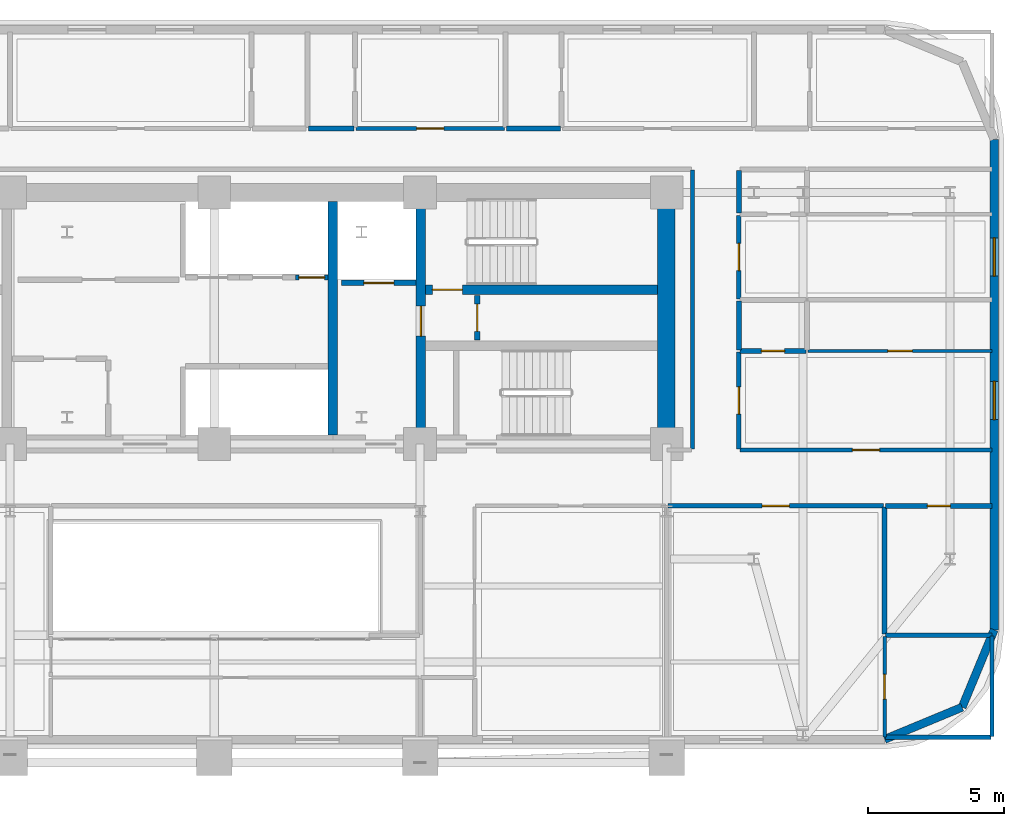
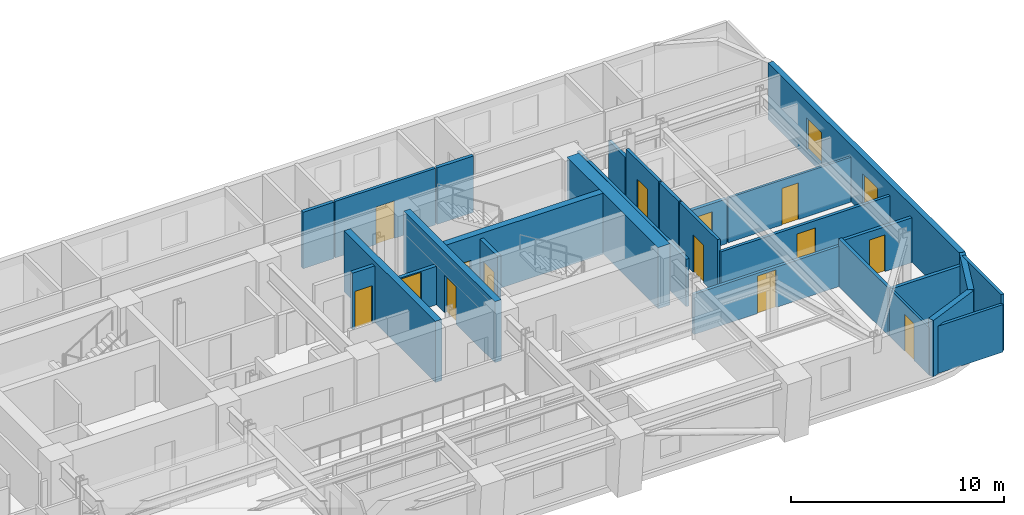
# One storey, part 10 of 14: 28 walls, 14 doors, 2 windows, 16 openings.
"""IFC4 building model written with IfcOpenShell, lengths in metres."""

from ifc_helpers import new_model, si_unit, direction, frame, frame_2d, origin, place, context, subcontext, project, spatial, rectangle, extrude, material, layer, layer_set, type_object, element, fill, save


model = new_model("IFC4")

# Units and contexts
model_context = context("Model", 3, precision=1e-05, world=origin(), true_north=direction((0.0, 1.0)))
body_context = subcontext(model_context, "Body", "Model", "MODEL_VIEW")
ifc_project = project(units=[si_unit("LENGTHUNIT", "METRE"), si_unit("AREAUNIT", "SQUARE_METRE"), si_unit("VOLUMEUNIT", "CUBIC_METRE"), si_unit("PLANEANGLEUNIT", "RADIAN"), si_unit("MASSUNIT", "GRAM", prefix="KILO")], contexts=[model_context])

# Site, building, storey
site_placement = place(None, origin())
site = spatial("IfcSite", under=ifc_project, at=site_placement, CompositionType="ELEMENT")
building_placement = place(site_placement, origin())
building = spatial("IfcBuilding", under=site, at=building_placement, Name="Zarnavel Station Tower", CompositionType="ELEMENT")
storey_placement = place(building_placement, frame((0.0, 0.0, 108.300048828125)))
storey = spatial("IfcBuildingStorey", under=building, at=storey_placement, Name="L29", CompositionType="ELEMENT", Elevation=108.300048828125)

# Wall
ifc_material_1 = material(Name="Concrete C50/60", Category="concrete")
ifc_layer_1 = layer(ifc_material_1, 0.35009765625)
ifc_layer_set_1 = layer_set([ifc_layer_1], Name="CW_350")
wall_type_1 = type_object("IfcWallType", Name="CW_350", PredefinedType="SHEAR", material=ifc_layer_set_1)
wall_1_placement = place(storey_placement, frame((33.14990234375, 28.14501953125, 0.0), z_axis=(0.0, 0.0, 1.0), x_axis=(0.0, 1.0, 0.0)))
element("IfcWall", 1, at=wall_1_placement, inside=storey, type_object=wall_type_1, Name="L29 Rear Core Shear Wall DIV-E", PredefinedType="SHEAR", context=body_context, shape_type="SweptSolid", body=[
    extrude(rectangle(XDim=8.580078125, YDim=0.35009765625, at=frame_2d((4.2900390625, 0.0))), origin(), (0.0, 0.0, 1.0), 3.5),
])

# Wall, opening, door
wall_2_placement = place(storey_placement, frame((36.3798828125, 28.14501953125, 0.0), z_axis=(0.0, 0.0, 1.0), x_axis=(0.0, 1.0, 0.0)))
wall_2 = element("IfcWall", 2, at=wall_2_placement, inside=storey, type_object=wall_type_1, Name="L29 Rear Core Shear Wall DIV-S2", PredefinedType="SHEAR", context=body_context, shape_type="SweptSolid", body=[
    extrude(rectangle(XDim=8.580078125, YDim=0.35009765625, at=frame_2d((4.2900390625, 0.0))), origin(), (0.0, 0.0, 1.0), 3.5),
])
opening_1_placement = place(wall_2_placement, frame((3.635009765625, 0.0, 0.0)))
opening_1 = element("IfcOpeningElement", 3, at=opening_1_placement, cuts=wall_2, Name="Opening FD01", PredefinedType="OPENING", context=body_context, shape_type="SweptSolid", body=[
    extrude(rectangle(XDim=1.10009765625, YDim=2.14990234375, at=frame_2d((0.550048828125, 1.074951171875))), frame((0.0, 0.18505859375, 0.0), z_axis=(0.0, -1.0, 0.0), x_axis=(1.0, 0.0, 0.0)), (0.0, 0.0, 1.0), 0.3701171875),
])
ifc_material_2 = material(Name="Painted Galvanised Steel and Hardwood Leaf", Category="steel")
door_type_1 = type_object("IfcDoorType", Name="ID_STAIR_1100", OperationType="NOTDEFINED", PredefinedType="DOOR", material=ifc_material_2)
door_1_placement = place(opening_1_placement, origin())
door_1 = element("IfcDoor", 4, at=door_1_placement, inside=storey, type_object=door_type_1, Name="L29 East Stair Vestibule Fire Door", OperationType="SINGLE_SWING_LEFT", OverallHeight=2.14990234375, OverallWidth=1.10009765625, PredefinedType="DOOR", context=body_context, shape_type="SweptSolid", body=[
    extrude(rectangle(XDim=1.10009765625, YDim=2.14990234375, at=frame_2d((0.550048828125, 1.074951171875))), frame((0.0, 0.02490234375, 0.0), z_axis=(0.0, -1.0, 0.0), x_axis=(1.0, 0.0, 0.0)), (0.0, 0.0, 1.0), 0.050048828125),
])
fill(opening_1, door_1)

wall_3_placement = place(storey_placement, frame((45.054931640625, 33.47998046875, 0.0), z_axis=(0.0, 0.0, 1.0), x_axis=(-1.0, 0.0, 0.0)))
wall_3 = element("IfcWall", 5, at=wall_3_placement, inside=storey, type_object=wall_type_1, Name="L29 Rear Core Shear Wall DIV-H2", PredefinedType="SHEAR", context=body_context, shape_type="SweptSolid", body=[
    extrude(rectangle(XDim=8.5, YDim=0.35009765625, at=frame_2d((4.25, 0.0))), origin(), (0.0, 0.0, 1.0), 3.5),
])
opening_2_placement = place(wall_3_placement, frame((7.155029296875, 0.0, 0.0)))
opening_2 = element("IfcOpeningElement", 6, at=opening_2_placement, cuts=wall_3, Name="Opening FD01", PredefinedType="OPENING", context=body_context, shape_type="SweptSolid", body=[
    extrude(rectangle(XDim=1.10009765625, YDim=2.14990234375, at=frame_2d((0.550048828125, 1.074951171875))), frame((0.0, 0.18505859375, 0.0), z_axis=(0.0, -1.0, 0.0), x_axis=(1.0, 0.0, 0.0)), (0.0, 0.0, 1.0), 0.3701171875),
])
door_2_placement = place(opening_2_placement, origin())
door_2 = element("IfcDoor", 7, at=door_2_placement, inside=storey, type_object=door_type_1, Name="L29 Stair ST2 Lobby Fire Door", OperationType="SINGLE_SWING_RIGHT", OverallHeight=2.14990234375, OverallWidth=1.10009765625, PredefinedType="DOOR", context=body_context, shape_type="SweptSolid", body=[
    extrude(rectangle(XDim=1.10009765625, YDim=2.14990234375, at=frame_2d((0.550048828125, 1.074951171875))), frame((0.0, 0.02490234375, 0.0), z_axis=(0.0, -1.0, 0.0), x_axis=(1.0, 0.0, 0.0)), (0.0, 0.0, 1.0), 0.050048828125),
])
fill(opening_2, door_2)

# Walls
ifc_material_3 = material(Name="Concrete C60/75", Category="concrete")
ifc_layer_2 = layer(ifc_material_3, 0.64990234375)
ifc_layer_set_2 = layer_set([ifc_layer_2], Name="CW_650")
wall_type_2 = type_object("IfcWallType", Name="CW_650", PredefinedType="SHEAR", material=ifc_layer_set_2)
wall_4_placement = place(storey_placement, frame((45.3798828125, 28.14501953125, 0.0), z_axis=(0.0, 0.0, 1.0), x_axis=(0.0, 1.0, 0.0)))
element("IfcWall", 8, at=wall_4_placement, inside=storey, type_object=wall_type_2, Name="L29 Rear Core Shear Wall E", PredefinedType="SHEAR", context=body_context, shape_type="SweptSolid", body=[
    extrude(rectangle(XDim=8.580078125, YDim=0.64990234375, at=frame_2d((4.2900390625, 0.0))), origin(), (0.0, 0.0, 1.0), 3.5),
])
ifc_material_4 = material(Name="Precast concrete C45/55 (Dark Basalt Finish)", Category="masonry")
ifc_layer_3 = layer(ifc_material_4, 0.300048828125)
ifc_layer_set_3 = layer_set([ifc_layer_3], Name="EW_BASALT_300")
wall_type_3 = type_object("IfcWallType", Name="EW_BASALT_300", PredefinedType="SOLIDWALL", material=ifc_layer_set_3)
wall_5_placement = place(storey_placement, frame((56.24267578125, 18.157470703125, 0.0), z_axis=(0.0, 0.0, 1.0), x_axis=(-0.923882414032, -0.382676475685, 0.0)))
element("IfcWall", 9, at=wall_5_placement, inside=storey, type_object=wall_type_3, Name="L29 Exterior Basalt Masonry Frame Wall 01", PredefinedType="SOLIDWALL", context=body_context, shape_type="SweptSolid", body=[
    extrude(rectangle(XDim=3.076904296875, YDim=0.300048828125, at=frame_2d((1.53857421875, 0.0))), origin(), (0.0, 0.0, 1.0), 3.239990234375),
])
wall_6_placement = place(storey_placement, frame((57.419921875, 21.0, 0.0), z_axis=(0.0, 0.0, 1.0), x_axis=(-0.382636798336, -0.92389884758, 0.0)))
element("IfcWall", 10, at=wall_6_placement, inside=storey, type_object=wall_type_3, Name="L29 Exterior Basalt Masonry Frame Wall 02", PredefinedType="SOLIDWALL", context=body_context, shape_type="SweptSolid", body=[
    extrude(rectangle(XDim=3.07666015625, YDim=0.300048828125, at=frame_2d((1.538330078125, 0.0))), origin(), (0.0, 0.0, 1.0), 3.239990234375),
])

# Wall, openings, windows
wall_7_placement = place(storey_placement, frame((57.419921875, 39.0, 0.0), z_axis=(0.0, 0.0, 1.0), x_axis=(0.0, -1.0, 0.0)))
wall_7 = element("IfcWall", 11, at=wall_7_placement, inside=storey, type_object=wall_type_3, Name="L29 Exterior Basalt Masonry Frame Wall 03", PredefinedType="SOLIDWALL", context=body_context, shape_type="SweptSolid", body=[
    extrude(rectangle(XDim=18.0, YDim=0.300048828125, at=frame_2d((9.0, 0.0))), origin(), (0.0, 0.0, 1.0), 3.239990234375),
])
opening_3_placement = place(wall_7_placement, frame((8.882080078125, 0.0, 0.47998046875)))
opening_3 = element("IfcOpeningElement", 12, at=opening_3_placement, cuts=wall_7, Name="Opening WN01", PredefinedType="OPENING", context=body_context, shape_type="SweptSolid", body=[
    extrude(rectangle(XDim=1.39990234375, YDim=1.800048828125, at=frame_2d((0.699951171875, 0.89990234375))), frame((0.0, 0.159912109375, 0.0), z_axis=(0.0, -1.0, 0.0), x_axis=(1.0, 0.0, 0.0)), (0.0, 0.0, 1.0), 0.320068359375),
])
opening_4_placement = place(wall_7_placement, frame((3.62060546875, 0.0, 0.47998046875)))
opening_4 = element("IfcOpeningElement", 13, at=opening_4_placement, cuts=wall_7, Name="Opening WN01", PredefinedType="OPENING", context=body_context, shape_type="SweptSolid", body=[
    extrude(rectangle(XDim=1.39990234375, YDim=1.800048828125, at=frame_2d((0.699951171875, 0.89990234375))), frame((0.0, 0.159912109375, 0.0), z_axis=(0.0, -1.0, 0.0), x_axis=(1.0, 0.0, 0.0)), (0.0, 0.0, 1.0), 0.320068359375),
])
ifc_material_5 = material(Name="Thermally Broken Black Aluminium and Low-E Dark Glass", Category="aluminium")
window_type = type_object("IfcWindowType", Name="WN_1400x1800", PartitioningType="DOUBLE_PANEL_VERTICAL", PredefinedType="WINDOW", material=ifc_material_5)
window_1_placement = place(opening_3_placement, origin())
window_1 = element("IfcWindow", 14, at=window_1_placement, inside=storey, type_object=window_type, Name="L29 Recessed Facade Window 01", OverallHeight=1.800048828125, OverallWidth=1.39990234375, PartitioningType="SINGLE_PANEL", PredefinedType="WINDOW", context=body_context, shape_type="SweptSolid", body=[
    extrude(rectangle(XDim=1.39990234375, YDim=1.800048828125, at=frame_2d((0.699951171875, 0.89990234375))), frame((0.0, 0.030029296875, 0.0), z_axis=(0.0, -1.0, 0.0), x_axis=(1.0, 0.0, 0.0)), (0.0, 0.0, 1.0), 0.06005859375),
])
fill(opening_3, window_1)
window_2_placement = place(opening_4_placement, origin())
window_2 = element("IfcWindow", 15, at=window_2_placement, inside=storey, type_object=window_type, Name="L29 Recessed Facade Window 02", OverallHeight=1.800048828125, OverallWidth=1.39990234375, PartitioningType="SINGLE_PANEL", PredefinedType="WINDOW", context=body_context, shape_type="SweptSolid", body=[
    extrude(rectangle(XDim=1.39990234375, YDim=1.800048828125, at=frame_2d((0.699951171875, 0.89990234375))), frame((0.0, 0.030029296875, 0.0), z_axis=(0.0, -1.0, 0.0), x_axis=(1.0, 0.0, 0.0)), (0.0, 0.0, 1.0), 0.06005859375),
])
fill(opening_4, window_2)

# Wall, opening, door
ifc_material_6 = material(Name="Gypsum Twin-Stud Acoustic Fire Partition", Category="concrete")
ifc_layer_4 = layer(ifc_material_6, 0.159912109375)
ifc_layer_set_4 = layer_set([ifc_layer_4], Name="PT_DEMISE_160")
wall_type_4 = type_object("IfcWallType", Name="PT_DEMISE_160", PredefinedType="PARTITIONING", material=ifc_layer_set_4)
wall_8_placement = place(storey_placement, frame((48.090087890625, 27.60009765625, 0.0), z_axis=(0.0, 0.0, 1.0), x_axis=(1.0, 0.0, 0.0)))
wall_8 = element("IfcWall", 16, at=wall_8_placement, inside=storey, type_object=wall_type_4, Name="L29 Partition COR-S-FNE1R", PredefinedType="PARTITIONING", context=body_context, shape_type="SweptSolid", body=[
    extrude(rectangle(XDim=9.25, YDim=0.159912109375, at=frame_2d((4.625, 0.0))), origin(), (0.0, 0.0, 1.0), 2.570068359375),
])
opening_5_placement = place(wall_8_placement, frame((4.125, 0.0, 0.0)))
opening_5 = element("IfcOpeningElement", 17, at=opening_5_placement, cuts=wall_8, Name="Opening FD02", PredefinedType="OPENING", context=body_context, shape_type="SweptSolid", body=[
    extrude(rectangle(XDim=1.0, YDim=2.14990234375, at=frame_2d((0.5, 1.074951171875))), frame((0.0, 0.08984375, 0.0), z_axis=(0.0, -1.0, 0.0), x_axis=(1.0, 0.0, 0.0)), (0.0, 0.0, 1.0), 0.179931640625),
])
ifc_material_7 = material(Name="Painted Galvanised Steel and Hardwood Leaf", Category="steel")
door_type_2 = type_object("IfcDoorType", Name="ID_ENTRY_1000", OperationType="NOTDEFINED", PredefinedType="DOOR", material=ifc_material_7)
door_3_placement = place(opening_5_placement, origin())
door_3 = element("IfcDoor", 18, at=door_3_placement, inside=storey, type_object=door_type_2, Name="L29 Door COR-S-FNE1R", OperationType="SINGLE_SWING_RIGHT", OverallHeight=2.14990234375, OverallWidth=1.0, PredefinedType="DOOR", context=body_context, shape_type="SweptSolid", body=[
    extrude(rectangle(XDim=1.0, YDim=2.14990234375, at=frame_2d((0.5, 1.074951171875))), frame((0.0, 0.02490234375, 0.0), z_axis=(0.0, -1.0, 0.0), x_axis=(1.0, 0.0, 0.0)), (0.0, 0.0, 1.0), 0.050048828125),
])
fill(opening_5, door_3)

wall_9_placement = place(storey_placement, frame((45.43994140625, 25.550048828125, 0.0), z_axis=(0.0, 0.0, 1.0), x_axis=(1.0, 0.0, 0.0)))
wall_9 = element("IfcWall", 19, at=wall_9_placement, inside=storey, type_object=wall_type_4, Name="L29 Partition COR-S-L29FOY", PredefinedType="PARTITIONING", context=body_context, shape_type="SweptSolid", body=[
    extrude(rectangle(XDim=7.920166015625, YDim=0.159912109375, at=frame_2d((3.9599609375, 0.0))), origin(), (0.0, 0.0, 1.0), 2.31005859375),
])
opening_6_placement = place(wall_9_placement, frame((3.4599609375, 0.0, 0.0)))
opening_6 = element("IfcOpeningElement", 20, at=opening_6_placement, cuts=wall_9, Name="Opening FD02", PredefinedType="OPENING", context=body_context, shape_type="SweptSolid", body=[
    extrude(rectangle(XDim=1.0, YDim=2.14990234375, at=frame_2d((0.5, 1.074951171875))), frame((0.0, 0.08984375, 0.0), z_axis=(0.0, -1.0, 0.0), x_axis=(1.0, 0.0, 0.0)), (0.0, 0.0, 1.0), 0.179931640625),
])
door_4_placement = place(opening_6_placement, origin())
door_4 = element("IfcDoor", 21, at=door_4_placement, inside=storey, type_object=door_type_2, Name="L29 Door COR-S-L29FOY", OperationType="SINGLE_SWING_RIGHT", OverallHeight=2.14990234375, OverallWidth=1.0, PredefinedType="DOOR", context=body_context, shape_type="SweptSolid", body=[
    extrude(rectangle(XDim=1.0, YDim=2.14990234375, at=frame_2d((0.5, 1.074951171875))), frame((0.0, 0.02490234375, 0.0), z_axis=(0.0, -1.0, 0.0), x_axis=(1.0, 0.0, 0.0)), (0.0, 0.0, 1.0), 0.050048828125),
])
fill(opening_6, door_4)

wall_10_placement = place(storey_placement, frame((48.050048828125, 27.639892578125, 0.0), z_axis=(0.0, 0.0, 1.0), x_axis=(0.0, 1.0, 0.0)))
wall_10 = element("IfcWall", 22, at=wall_10_placement, inside=storey, type_object=wall_type_4, Name="L29 Partition COR-E-FNE1R", PredefinedType="PARTITIONING", context=body_context, shape_type="SweptSolid", body=[
    extrude(rectangle(XDim=3.55615234375, YDim=0.159912109375, at=frame_2d((1.778076171875, 0.0))), origin(), (0.0, 0.0, 1.0), 3.239990234375),
])
opening_7_placement = place(wall_10_placement, frame((1.278076171875, 0.0, 0.0)))
opening_7 = element("IfcOpeningElement", 23, at=opening_7_placement, cuts=wall_10, Name="Opening FD02", PredefinedType="OPENING", context=body_context, shape_type="SweptSolid", body=[
    extrude(rectangle(XDim=1.0, YDim=2.14990234375, at=frame_2d((0.5, 1.074951171875))), frame((0.0, 0.08984375, 0.0), z_axis=(0.0, -1.0, 0.0), x_axis=(1.0, 0.0, 0.0)), (0.0, 0.0, 1.0), 0.179931640625),
])
door_5_placement = place(opening_7_placement, origin())
door_5 = element("IfcDoor", 24, at=door_5_placement, inside=storey, type_object=door_type_2, Name="L29 Door COR-E-FNE1R", OperationType="SINGLE_SWING_RIGHT", OverallHeight=2.14990234375, OverallWidth=1.0, PredefinedType="DOOR", context=body_context, shape_type="SweptSolid", body=[
    extrude(rectangle(XDim=1.0, YDim=2.14990234375, at=frame_2d((0.5, 1.074951171875))), frame((0.0, 0.02490234375, 0.0), z_axis=(0.0, -1.0, 0.0), x_axis=(1.0, 0.0, 0.0)), (0.0, 0.0, 1.0), 0.050048828125),
])
fill(opening_7, door_5)

wall_11_placement = place(storey_placement, frame((48.050048828125, 33.14892578125, 0.0), z_axis=(0.0, 0.0, 1.0), x_axis=(0.0, 1.0, 0.0)))
wall_11 = element("IfcWall", 25, at=wall_11_placement, inside=storey, type_object=wall_type_4, Name="L29 Partition COR-E-FNE2R", PredefinedType="PARTITIONING", context=body_context, shape_type="SweptSolid", body=[
    extrude(rectangle(XDim=3.06103515625, YDim=0.159912109375, at=frame_2d((1.530517578125, 0.0))), origin(), (0.0, 0.0, 1.0), 3.239990234375),
])
opening_8_placement = place(wall_11_placement, frame((1.030517578125, 0.0, 0.0)))
opening_8 = element("IfcOpeningElement", 26, at=opening_8_placement, cuts=wall_11, Name="Opening FD02", PredefinedType="OPENING", context=body_context, shape_type="SweptSolid", body=[
    extrude(rectangle(XDim=1.0, YDim=2.14990234375, at=frame_2d((0.5, 1.074951171875))), frame((0.0, 0.08984375, 0.0), z_axis=(0.0, -1.0, 0.0), x_axis=(1.0, 0.0, 0.0)), (0.0, 0.0, 1.0), 0.179931640625),
])
door_6_placement = place(opening_8_placement, origin())
door_6 = element("IfcDoor", 27, at=door_6_placement, inside=storey, type_object=door_type_2, Name="L29 Door COR-E-FNE2R", OperationType="SINGLE_SWING_LEFT", OverallHeight=2.14990234375, OverallWidth=1.0, PredefinedType="DOOR", context=body_context, shape_type="SweptSolid", body=[
    extrude(rectangle(XDim=1.0, YDim=2.14990234375, at=frame_2d((0.5, 1.074951171875))), frame((0.0, 0.02490234375, 0.0), z_axis=(0.0, -1.0, 0.0), x_axis=(1.0, 0.0, 0.0)), (0.0, 0.0, 1.0), 0.050048828125),
])
fill(opening_8, door_6)

wall_12_placement = place(storey_placement, frame((33.9970703125, 39.39990234375, 0.0), z_axis=(0.0, 0.0, 1.0), x_axis=(1.0, 0.0, 0.0)))
wall_12 = element("IfcWall", 28, at=wall_12_placement, inside=storey, type_object=wall_type_4, Name="L29 Partition COR-N-HN3R", PredefinedType="PARTITIONING", context=body_context, shape_type="SweptSolid", body=[
    extrude(rectangle(XDim=5.447998046875, YDim=0.159912109375, at=frame_2d((2.72412109375, 0.0))), origin(), (0.0, 0.0, 1.0), 3.239990234375),
])
opening_9_placement = place(wall_12_placement, frame((2.22412109375, 0.0, 0.0)))
opening_9 = element("IfcOpeningElement", 29, at=opening_9_placement, cuts=wall_12, Name="Opening FD02", PredefinedType="OPENING", context=body_context, shape_type="SweptSolid", body=[
    extrude(rectangle(XDim=1.0, YDim=2.14990234375, at=frame_2d((0.5, 1.074951171875))), frame((0.0, 0.08984375, 0.0), z_axis=(0.0, -1.0, 0.0), x_axis=(1.0, 0.0, 0.0)), (0.0, 0.0, 1.0), 0.179931640625),
])
door_7_placement = place(opening_9_placement, origin())
door_7 = element("IfcDoor", 30, at=door_7_placement, inside=storey, type_object=door_type_2, Name="L29 Door COR-N-HN3R", OperationType="SINGLE_SWING_LEFT", OverallHeight=2.14990234375, OverallWidth=1.0, PredefinedType="DOOR", context=body_context, shape_type="SweptSolid", body=[
    extrude(rectangle(XDim=1.0, YDim=2.14990234375, at=frame_2d((0.5, 1.074951171875))), frame((0.0, 0.02490234375, 0.0), z_axis=(0.0, -1.0, 0.0), x_axis=(1.0, 0.0, 0.0)), (0.0, 0.0, 1.0), 0.050048828125),
])
fill(opening_9, door_7)

# Walls
wall_13_placement = place(storey_placement, frame((46.35009765625, 27.6298828125, 0.0), z_axis=(0.0, 0.0, 1.0), x_axis=(0.0, 1.0, 0.0)))
element("IfcWall", 31, at=wall_13_placement, inside=storey, type_object=wall_type_4, Name="L29 Enclosure Wall COR-E", PredefinedType="PARTITIONING", context=body_context, shape_type="SweptSolid", body=[
    extrude(rectangle(XDim=10.240234375, YDim=0.159912109375, at=frame_2d((5.1201171875, 0.0))), origin(), (0.0, 0.0, 1.0), 2.719970703125),
])
wall_14_placement = place(storey_placement, frame((53.429931640625, 17.06005859375, 0.0), z_axis=(0.0, 0.0, 1.0), x_axis=(1.0, 0.0, 0.0)))
element("IfcWall", 32, at=wall_14_placement, inside=storey, type_object=wall_type_4, Name="L29 Enclosure Wall L29STR", PredefinedType="PARTITIONING", context=body_context, shape_type="SweptSolid", body=[
    extrude(rectangle(XDim=3.880126953125, YDim=0.159912109375, at=frame_2d((1.93994140625, 0.0))), origin(), (0.0, 0.0, 1.0), 2.719970703125),
])
wall_15_placement = place(storey_placement, frame((57.340087890625, 17.090087890625, 0.0), z_axis=(0.0, 0.0, 1.0), x_axis=(0.0, 1.0, 0.0)))
element("IfcWall", 33, at=wall_15_placement, inside=storey, type_object=wall_type_4, Name="L29 Enclosure Wall L29STR", PredefinedType="PARTITIONING", context=body_context, shape_type="SweptSolid", body=[
    extrude(rectangle(XDim=3.679931640625, YDim=0.159912109375, at=frame_2d((1.83984375, 0.0))), origin(), (0.0, 0.0, 1.0), 3.239990234375),
])

# Wall, opening, door
ifc_material_8 = material(Name="Gypsum Metal-Stud Interior Partition", Category="concrete")
ifc_layer_5 = layer(ifc_material_8, 0.1201171875)
ifc_layer_set_5 = layer_set([ifc_layer_5], Name="PT_ROOM_120")
wall_type_5 = type_object("IfcWallType", Name="PT_ROOM_120", PredefinedType="PARTITIONING", material=ifc_layer_set_5)
wall_16_placement = place(storey_placement, frame((50.590087890625, 31.236083984375, 0.0), z_axis=(0.0, 0.0, 1.0), x_axis=(1.0, 0.0, 0.0)))
wall_16 = element("IfcWall", 34, at=wall_16_placement, inside=storey, type_object=wall_type_5, Name="L29 Partition FNE1R-FNE1S", PredefinedType="PARTITIONING", context=body_context, shape_type="SweptSolid", body=[
    extrude(rectangle(XDim=6.75, YDim=0.1201171875, at=frame_2d((3.375, 0.0))), origin(), (0.0, 0.0, 1.0), 2.570068359375),
])
opening_10_placement = place(wall_16_placement, frame((2.925048828125, 0.0, 0.0)))
opening_10 = element("IfcOpeningElement", 35, at=opening_10_placement, cuts=wall_16, Name="Opening ID01", PredefinedType="OPENING", context=body_context, shape_type="SweptSolid", body=[
    extrude(rectangle(XDim=0.89990234375, YDim=2.10009765625, at=frame_2d((0.449951171875, 1.050048828125))), frame((0.0, 0.070068359375, 0.0), z_axis=(0.0, -1.0, 0.0), x_axis=(1.0, 0.0, 0.0)), (0.0, 0.0, 1.0), 0.14013671875),
])
ifc_material_9 = material(Name="Painted Galvanised Steel and Hardwood Leaf", Category="steel")
door_type_3 = type_object("IfcDoorType", Name="ID_ROOM_900", OperationType="NOTDEFINED", PredefinedType="DOOR", material=ifc_material_9)
door_8_placement = place(opening_10_placement, origin())
door_8 = element("IfcDoor", 36, at=door_8_placement, inside=storey, type_object=door_type_3, Name="L29 Door FNE1R-FNE1S", OperationType="SINGLE_SWING_RIGHT", OverallHeight=2.10009765625, OverallWidth=0.89990234375, PredefinedType="DOOR", context=body_context, shape_type="SweptSolid", body=[
    extrude(rectangle(XDim=0.89990234375, YDim=2.10009765625, at=frame_2d((0.449951171875, 1.050048828125))), frame((0.0, 0.02490234375, 0.0), z_axis=(0.0, -1.0, 0.0), x_axis=(1.0, 0.0, 0.0)), (0.0, 0.0, 1.0), 0.050048828125),
])
fill(opening_10, door_8)

wall_17_placement = place(storey_placement, frame((53.39990234375, 17.06005859375, 0.0), z_axis=(0.0, 0.0, 1.0), x_axis=(0.0, 1.0, 0.0)))
wall_17 = element("IfcWall", 37, at=wall_17_placement, inside=storey, type_object=wall_type_5, Name="L29 Partition L29FOY-L29STR", PredefinedType="PARTITIONING", context=body_context, shape_type="SweptSolid", body=[
    extrude(rectangle(XDim=3.699951171875, YDim=0.1201171875, at=frame_2d((1.85009765625, 0.0))), origin(), (0.0, 0.0, 1.0), 2.719970703125),
])
opening_11_placement = place(wall_17_placement, frame((1.39990234375, 0.0, 0.0)))
opening_11 = element("IfcOpeningElement", 38, at=opening_11_placement, cuts=wall_17, Name="Opening ID01", PredefinedType="OPENING", context=body_context, shape_type="SweptSolid", body=[
    extrude(rectangle(XDim=0.89990234375, YDim=2.10009765625, at=frame_2d((0.449951171875, 1.050048828125))), frame((0.0, 0.070068359375, 0.0), z_axis=(0.0, -1.0, 0.0), x_axis=(1.0, 0.0, 0.0)), (0.0, 0.0, 1.0), 0.14013671875),
])
door_9_placement = place(opening_11_placement, origin())
door_9 = element("IfcDoor", 39, at=door_9_placement, inside=storey, type_object=door_type_3, Name="L29 Door L29FOY-L29STR", OperationType="SINGLE_SWING_RIGHT", OverallHeight=2.10009765625, OverallWidth=0.89990234375, PredefinedType="DOOR", context=body_context, shape_type="SweptSolid", body=[
    extrude(rectangle(XDim=0.89990234375, YDim=2.10009765625, at=frame_2d((0.449951171875, 1.050048828125))), frame((0.0, 0.02490234375, 0.0), z_axis=(0.0, -1.0, 0.0), x_axis=(1.0, 0.0, 0.0)), (0.0, 0.0, 1.0), 0.050048828125),
])
fill(opening_11, door_9)

ifc_material_10 = material(Name="Precast concrete C45/55 (Fire Shaft Blockwork)", Category="masonry")
ifc_layer_6 = layer(ifc_material_10, 0.199951171875)
ifc_layer_set_6 = layer_set([ifc_layer_6], Name="PT_SHAFT_200")
wall_type_6 = type_object("IfcWallType", Name="PT_SHAFT_200", PredefinedType="PARTITIONING", material=ifc_layer_set_6)
wall_18_placement = place(storey_placement, frame((33.47509765625, 33.72998046875, 0.0), z_axis=(0.0, 0.0, 1.0), x_axis=(1.0, 0.0, 0.0)))
wall_18 = element("IfcWall", 40, at=wall_18_placement, inside=storey, type_object=wall_type_6, Name="L29 Lift FFL-02 Shaft Front Wall", PredefinedType="PARTITIONING", context=body_context, shape_type="SweptSolid", body=[
    extrude(rectangle(XDim=2.724853515625, YDim=0.199951171875, at=frame_2d((1.3623046875, 0.0))), origin(), (0.0, 0.0, 1.0), 2.2119140625),
])
opening_12_placement = place(wall_18_placement, frame((0.8125, 0.0, 0.0)))
opening_12 = element("IfcOpeningElement", 41, at=opening_12_placement, cuts=wall_18, Name="Opening LD01", PredefinedType="OPENING", context=body_context, shape_type="SweptSolid", body=[
    extrude(rectangle(XDim=1.10009765625, YDim=2.14990234375, at=frame_2d((0.550048828125, 1.074951171875))), frame((0.0, 0.10986328125, 0.0), z_axis=(0.0, -1.0, 0.0), x_axis=(1.0, 0.0, 0.0)), (0.0, 0.0, 1.0), 0.219970703125),
])
ifc_material_11 = material(Name="Painted Galvanised Steel and Hardwood Leaf", Category="steel")
door_type_4 = type_object("IfcDoorType", Name="LD_FF_1100", OperationType="DOUBLE_DOOR_SLIDING", PredefinedType="DOOR", material=ifc_material_11)
door_10_placement = place(opening_12_placement, origin())
door_10 = element("IfcDoor", 42, at=door_10_placement, inside=storey, type_object=door_type_4, Name="L29 Lift FFL-02 Sliding Landing Door", OperationType="DOUBLE_DOOR_SLIDING", OverallHeight=2.14990234375, OverallWidth=1.10009765625, PredefinedType="DOOR", context=body_context, shape_type="SweptSolid", body=[
    extrude(rectangle(XDim=1.10009765625, YDim=2.14990234375, at=frame_2d((0.550048828125, 1.074951171875))), frame((0.0, 0.02490234375, 0.0), z_axis=(0.0, -1.0, 0.0), x_axis=(1.0, 0.0, 0.0)), (0.0, 0.0, 1.0), 0.050048828125),
])
fill(opening_12, door_10)

wall_19_placement = place(storey_placement, frame((31.77490234375, 33.929931640625, 0.0), z_axis=(0.0, 0.0, 1.0), x_axis=(1.0, 0.0, 0.0)))
wall_19 = element("IfcWall", 43, at=wall_19_placement, inside=storey, type_object=wall_type_6, Name="L29 Lift PL-M3 Shaft Front Wall", PredefinedType="PARTITIONING", context=body_context, shape_type="SweptSolid", body=[
    extrude(rectangle(XDim=1.2001953125, YDim=0.199951171875, at=frame_2d((0.60009765625, 0.0))), origin(), (0.0, 0.0, 1.0), 3.239990234375),
])
opening_13_placement = place(wall_19_placement, frame((0.125, 0.0, 0.0)))
opening_13 = element("IfcOpeningElement", 44, at=opening_13_placement, cuts=wall_19, Name="Opening LD03", PredefinedType="OPENING", context=body_context, shape_type="SweptSolid", body=[
    extrude(rectangle(XDim=0.949951171875, YDim=2.14990234375, at=frame_2d((0.47509765625, 1.074951171875))), frame((0.0, 0.10986328125, 0.0), z_axis=(0.0, -1.0, 0.0), x_axis=(1.0, 0.0, 0.0)), (0.0, 0.0, 1.0), 0.219970703125),
])
ifc_material_12 = material(Name="Painted Galvanised Steel and Hardwood Leaf", Category="steel")
door_type_5 = type_object("IfcDoorType", Name="LD_PAX_0950", OperationType="DOUBLE_DOOR_SLIDING", PredefinedType="DOOR", material=ifc_material_12)
door_11_placement = place(opening_13_placement, origin())
door_11 = element("IfcDoor", 45, at=door_11_placement, inside=storey, type_object=door_type_5, Name="L29 Lift PL-M3 Sliding Landing Door", OperationType="DOUBLE_DOOR_SLIDING", OverallHeight=2.14990234375, OverallWidth=0.949951171875, PredefinedType="DOOR", context=body_context, shape_type="SweptSolid", body=[
    extrude(rectangle(XDim=0.949951171875, YDim=2.14990234375, at=frame_2d((0.47509765625, 1.074951171875))), frame((0.0, 0.02490234375, 0.0), z_axis=(0.0, -1.0, 0.0), x_axis=(1.0, 0.0, 0.0)), (0.0, 0.0, 1.0), 0.050048828125),
])
fill(opening_13, door_11)

wall_20_placement = place(storey_placement, frame((38.449951171875, 31.639892578125, 0.0), z_axis=(0.0, 0.0, 1.0), x_axis=(0.0, 1.0, 0.0)))
wall_20 = element("IfcWall", 46, at=wall_20_placement, inside=storey, type_object=wall_type_6, Name="L29 Partition ESTV-CEA", PredefinedType="PARTITIONING", context=body_context, shape_type="SweptSolid", body=[
    extrude(rectangle(XDim=1.6201171875, YDim=0.199951171875, at=frame_2d((0.81005859375, 0.0))), origin(), (0.0, 0.0, 1.0), 3.239990234375),
])
opening_14_placement = place(wall_20_placement, frame((0.31005859375, 0.0, 0.0)))
opening_14 = element("IfcOpeningElement", 47, at=opening_14_placement, cuts=wall_20, Name="Opening FD02", PredefinedType="OPENING", context=body_context, shape_type="SweptSolid", body=[
    extrude(rectangle(XDim=1.0, YDim=2.14990234375, at=frame_2d((0.5, 1.074951171875))), frame((0.0, 0.10986328125, 0.0), z_axis=(0.0, -1.0, 0.0), x_axis=(1.0, 0.0, 0.0)), (0.0, 0.0, 1.0), 0.219970703125),
])
door_12_placement = place(opening_14_placement, origin())
door_12 = element("IfcDoor", 48, at=door_12_placement, inside=storey, type_object=door_type_2, Name="L29 Door ESTV-CEA", OperationType="SINGLE_SWING_LEFT", OverallHeight=2.14990234375, OverallWidth=1.0, PredefinedType="DOOR", context=body_context, shape_type="SweptSolid", body=[
    extrude(rectangle(XDim=1.0, YDim=2.14990234375, at=frame_2d((0.5, 1.074951171875))), frame((0.0, 0.02490234375, 0.0), z_axis=(0.0, -1.0, 0.0), x_axis=(1.0, 0.0, 0.0)), (0.0, 0.0, 1.0), 0.050048828125),
])
fill(opening_14, door_12)

ifc_material_13 = material(Name="Moisture-Resistant Plumbing Chase Wall", Category="concrete")
ifc_layer_7 = layer(ifc_material_13, 0.179931640625)
ifc_layer_set_7 = layer_set([ifc_layer_7], Name="PW_PLUMB_180")
wall_type_7 = type_object("IfcWallType", Name="PW_PLUMB_180", PredefinedType="PLUMBINGWALL", material=ifc_layer_set_7)
wall_21_placement = place(storey_placement, frame((53.43994140625, 25.550048828125, 0.0), z_axis=(0.0, 0.0, 1.0), x_axis=(1.0, 0.0, 0.0)))
wall_21 = element("IfcWall", 49, at=wall_21_placement, inside=storey, type_object=wall_type_7, Name="L29 Partition COR-S-L29WCS", PredefinedType="PLUMBINGWALL", context=body_context, shape_type="SweptSolid", body=[
    extrude(rectangle(XDim=3.900146484375, YDim=0.179931640625, at=frame_2d((1.9501953125, 0.0))), origin(), (0.0, 0.0, 1.0), 2.570068359375),
])
opening_15_placement = place(wall_21_placement, frame((1.52490234375, 0.0, 0.0)))
opening_15 = element("IfcOpeningElement", 50, at=opening_15_placement, cuts=wall_21, Name="Opening ID02", PredefinedType="OPENING", context=body_context, shape_type="SweptSolid", body=[
    extrude(rectangle(XDim=0.85009765625, YDim=2.10009765625, at=frame_2d((0.425048828125, 1.050048828125))), frame((0.0, 0.099853515625, 0.0), z_axis=(0.0, -1.0, 0.0), x_axis=(1.0, 0.0, 0.0)), (0.0, 0.0, 1.0), 0.199951171875),
])
ifc_material_14 = material(Name="Painted Galvanised Steel and Hardwood Leaf", Category="steel")
door_type_6 = type_object("IfcDoorType", Name="ID_BATH_850", OperationType="NOTDEFINED", PredefinedType="DOOR", material=ifc_material_14)
door_13_placement = place(opening_15_placement, origin())
door_13 = element("IfcDoor", 51, at=door_13_placement, inside=storey, type_object=door_type_6, Name="L29 Door COR-S-L29WCS", OperationType="SINGLE_SWING_LEFT", OverallHeight=2.10009765625, OverallWidth=0.85009765625, PredefinedType="DOOR", context=body_context, shape_type="SweptSolid", body=[
    extrude(rectangle(XDim=0.85009765625, YDim=2.10009765625, at=frame_2d((0.425048828125, 1.050048828125))), frame((0.0, 0.02490234375, 0.0), z_axis=(0.0, -1.0, 0.0), x_axis=(1.0, 0.0, 0.0)), (0.0, 0.0, 1.0), 0.050048828125),
])
fill(opening_15, door_13)

# Walls
wall_22_placement = place(storey_placement, frame((48.050048828125, 31.27587890625, 0.0), z_axis=(0.0, 0.0, 1.0), x_axis=(0.0, 1.0, 0.0)))
element("IfcWall", 52, at=wall_22_placement, inside=storey, type_object=wall_type_7, Name="L29 Partition COR-E-FNE1B", PredefinedType="PLUMBINGWALL", context=body_context, shape_type="SweptSolid", body=[
    extrude(rectangle(XDim=1.793212890625, YDim=0.179931640625, at=frame_2d((0.896484375, 0.0))), origin(), (0.0, 0.0, 1.0), 3.239990234375),
])
wall_23_placement = place(storey_placement, frame((48.050048828125, 36.2900390625, 0.0), z_axis=(0.0, 0.0, 1.0), x_axis=(0.0, 1.0, 0.0)))
element("IfcWall", 53, at=wall_23_placement, inside=storey, type_object=wall_type_7, Name="L29 Partition COR-E-FNE2B", PredefinedType="PLUMBINGWALL", context=body_context, shape_type="SweptSolid", body=[
    extrude(rectangle(XDim=1.570068359375, YDim=0.179931640625, at=frame_2d((0.78515625, 0.0))), origin(), (0.0, 0.0, 1.0), 2.719970703125),
])
wall_24_placement = place(storey_placement, frame((32.2509765625, 39.39990234375, 0.0), z_axis=(0.0, 0.0, 1.0), x_axis=(1.0, 0.0, 0.0)))
element("IfcWall", 54, at=wall_24_placement, inside=storey, type_object=wall_type_7, Name="L29 Partition COR-N-HN3B", PredefinedType="PLUMBINGWALL", context=body_context, shape_type="SweptSolid", body=[
    extrude(rectangle(XDim=1.666015625, YDim=0.179931640625, at=frame_2d((0.8330078125, 0.0))), origin(), (0.0, 0.0, 1.0), 3.239990234375),
])
wall_25_placement = place(storey_placement, frame((39.52490234375, 39.39990234375, 0.0), z_axis=(0.0, 0.0, 1.0), x_axis=(1.0, 0.0, 0.0)))
element("IfcWall", 55, at=wall_25_placement, inside=storey, type_object=wall_type_7, Name="L29 Partition COR-N-HN4B", PredefinedType="PLUMBINGWALL", context=body_context, shape_type="SweptSolid", body=[
    extrude(rectangle(XDim=1.97021484375, YDim=0.179931640625, at=frame_2d((0.985107421875, 0.0))), origin(), (0.0, 0.0, 1.0), 3.239990234375),
])

# Wall, opening, door
wall_26_placement = place(storey_placement, frame((48.090087890625, 31.236083984375, 0.0), z_axis=(0.0, 0.0, 1.0), x_axis=(1.0, 0.0, 0.0)))
wall_26 = element("IfcWall", 56, at=wall_26_placement, inside=storey, type_object=wall_type_7, Name="L29 Partition FNE1R-FNE1B", PredefinedType="PLUMBINGWALL", context=body_context, shape_type="SweptSolid", body=[
    extrude(rectangle(XDim=2.419921875, YDim=0.179931640625, at=frame_2d((1.2099609375, 0.0))), origin(), (0.0, 0.0, 1.0), 2.570068359375),
])
opening_16_placement = place(wall_26_placement, frame((0.784912109375, 0.0, 0.0)))
opening_16 = element("IfcOpeningElement", 57, at=opening_16_placement, cuts=wall_26, Name="Opening ID02", PredefinedType="OPENING", context=body_context, shape_type="SweptSolid", body=[
    extrude(rectangle(XDim=0.85009765625, YDim=2.10009765625, at=frame_2d((0.425048828125, 1.050048828125))), frame((0.0, 0.099853515625, 0.0), z_axis=(0.0, -1.0, 0.0), x_axis=(1.0, 0.0, 0.0)), (0.0, 0.0, 1.0), 0.199951171875),
])
door_14_placement = place(opening_16_placement, origin())
door_14 = element("IfcDoor", 58, at=door_14_placement, inside=storey, type_object=door_type_6, Name="L29 Door FNE1R-FNE1B", OperationType="SINGLE_SWING_LEFT", OverallHeight=2.10009765625, OverallWidth=0.85009765625, PredefinedType="DOOR", context=body_context, shape_type="SweptSolid", body=[
    extrude(rectangle(XDim=0.85009765625, YDim=2.10009765625, at=frame_2d((0.425048828125, 1.050048828125))), frame((0.0, 0.02490234375, 0.0), z_axis=(0.0, -1.0, 0.0), x_axis=(1.0, 0.0, 0.0)), (0.0, 0.0, 1.0), 0.050048828125),
])
fill(opening_16, door_14)

# Walls
wall_27_placement = place(storey_placement, frame((53.39990234375, 20.840087890625, 0.0), z_axis=(0.0, 0.0, 1.0), x_axis=(0.0, 1.0, 0.0)))
element("IfcWall", 59, at=wall_27_placement, inside=storey, type_object=wall_type_7, Name="L29 Partition L29FOY-L29WCS", PredefinedType="PLUMBINGWALL", context=body_context, shape_type="SweptSolid", body=[
    extrude(rectangle(XDim=4.669921875, YDim=0.179931640625, at=frame_2d((2.3349609375, 0.0))), origin(), (0.0, 0.0, 1.0), 2.719970703125),
])
wall_28_placement = place(storey_placement, frame((53.43994140625, 20.800048828125, 0.0), z_axis=(0.0, 0.0, 1.0), x_axis=(1.0, 0.0, 0.0)))
element("IfcWall", 60, at=wall_28_placement, inside=storey, type_object=wall_type_7, Name="L29 Partition L29STR-L29WCS", PredefinedType="PLUMBINGWALL", context=body_context, shape_type="SweptSolid", body=[
    extrude(rectangle(XDim=3.900146484375, YDim=0.179931640625, at=frame_2d((1.9501953125, 0.0))), origin(), (0.0, 0.0, 1.0), 2.719970703125),
])

save(model, "model.ifc")
